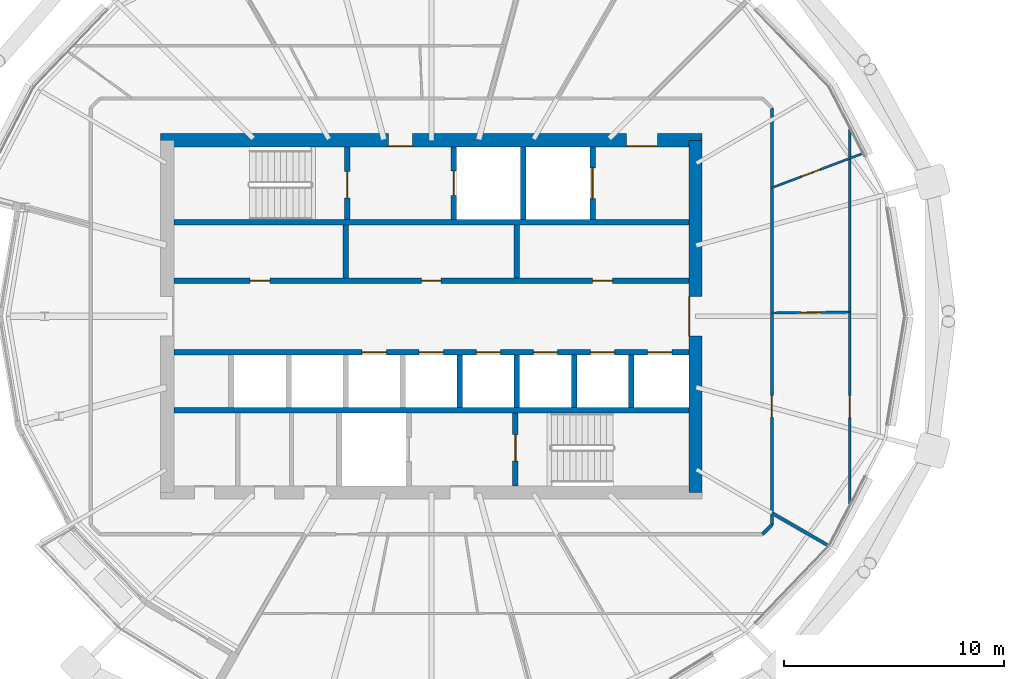
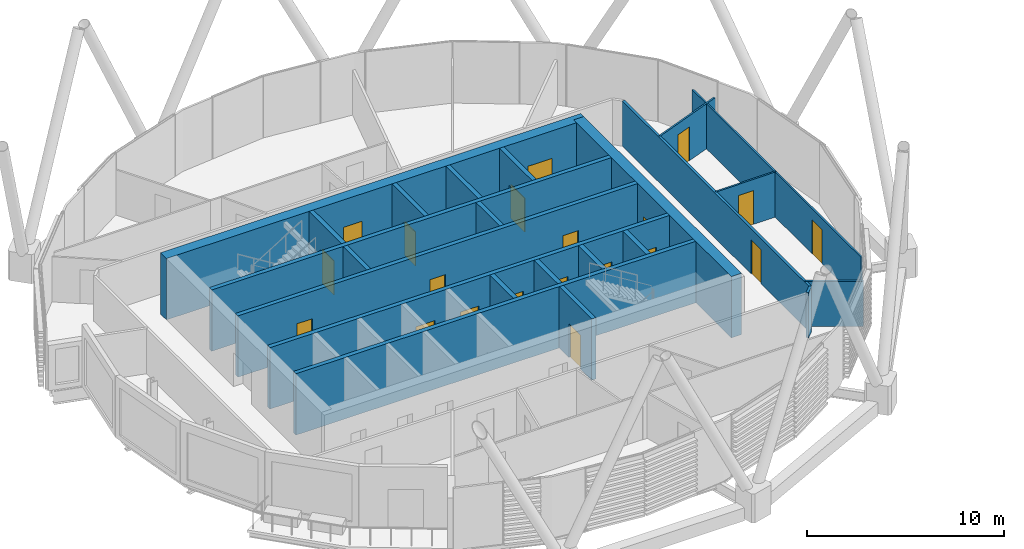
# One storey, part 23 of 36: 23 walls, 20 doors, 20 openings.
"""IFC4 building model written with IfcOpenShell, lengths in metres."""

from ifc_helpers import new_model, si_unit, direction, frame, frame_2d, origin, place, context, subcontext, project, spatial, rectangle, extrude, material, layer, layer_set, type_object, element, fill, save


model = new_model("IFC4")

# Units and contexts
model_context = context("Model", 3, precision=1e-05, world=origin(), true_north=direction((0.0, 1.0)))
body_context = subcontext(model_context, "Body", "Model", "MODEL_VIEW")
ifc_project = project(units=[si_unit("LENGTHUNIT", "METRE"), si_unit("AREAUNIT", "SQUARE_METRE"), si_unit("VOLUMEUNIT", "CUBIC_METRE"), si_unit("PLANEANGLEUNIT", "RADIAN"), si_unit("MASSUNIT", "GRAM", prefix="KILO")], contexts=[model_context])

# Site, building, storey
site_placement = place(None, origin())
site = spatial("IfcSite", under=ifc_project, at=site_placement, CompositionType="ELEMENT")
building_placement = place(site_placement, origin())
building = spatial("IfcBuilding", under=site, at=building_placement, Name="Rimbun Link Towers", CompositionType="ELEMENT")
storey_placement = place(building_placement, frame((0.0, 0.0, 193.10009765625)))
storey = spatial("IfcBuildingStorey", under=building, at=storey_placement, Name="L47", CompositionType="ELEMENT", Elevation=193.10009765625)

# Wall, openings, doors
ifc_material_1 = material(Name="Concrete C60/75", Category="concrete")
ifc_layer_1 = layer(ifc_material_1, 0.60009765625)
ifc_layer_set_1 = layer_set([ifc_layer_1], Name="Core shear wall 600")
wall_type_1 = type_object("IfcWallType", Name="Core shear wall 600", PredefinedType="SHEAR", material=ifc_layer_set_1)
wall_1_placement = place(storey_placement, frame((-44.050048828125, 8.0, 0.0), z_axis=(0.0, 0.0, 1.0), x_axis=(1.0, 0.0, 0.0)))
wall_1 = element("IfcWall", 1, at=wall_1_placement, inside=storey, type_object=wall_type_1, Name="L47 T1 core wall N", PredefinedType="SHEAR", context=body_context, shape_type="SweptSolid", body=[
    extrude(rectangle(XDim=24.60009765625, YDim=0.60009765625, at=frame_2d((12.300048828125, 0.0))), origin(), (0.0, 0.0, 1.0), 3.7998046875),
])
opening_1_placement = place(wall_1_placement, frame((10.35009765625, 0.0, 0.0)))
opening_1 = element("IfcOpeningElement", 2, at=opening_1_placement, cuts=wall_1, Name="Opening C1DCF01N", PredefinedType="OPENING", context=body_context, shape_type="SweptSolid", body=[
    extrude(rectangle(XDim=1.10009765625, YDim=2.10009765625, at=frame_2d((0.550048828125, 1.050048828125))), frame((0.0, 0.31005859375, 0.0), z_axis=(0.0, -1.0, 0.0), x_axis=(1.0, 0.0, 0.0)), (0.0, 0.0, 1.0), 0.6201171875),
])
opening_2_placement = place(wall_1_placement, frame((21.175048828125, 0.0, 0.0)))
opening_2 = element("IfcOpeningElement", 3, at=opening_2_placement, cuts=wall_1, Name="Opening C1DSL02N", PredefinedType="OPENING", context=body_context, shape_type="SweptSolid", body=[
    extrude(rectangle(XDim=1.39990234375, YDim=2.10009765625, at=frame_2d((0.699951171875, 1.050048828125))), frame((0.0, 0.31005859375, 0.0), z_axis=(0.0, -1.0, 0.0), x_axis=(1.0, 0.0, 0.0)), (0.0, 0.0, 1.0), 0.6201171875),
])
ifc_material_2 = material(Name="Steel fire door set", Category="steel")
door_type_1 = type_object("IfcDoorType", Name="Core fire door single", OperationType="SINGLE_SWING_LEFT", PredefinedType="DOOR", material=ifc_material_2)
door_1_placement = place(opening_1_placement, origin())
door_1 = element("IfcDoor", 4, at=door_1_placement, inside=storey, type_object=door_type_1, Name="L47 T1 firefighting lobby n door", OperationType="SINGLE_SWING_LEFT", OverallHeight=2.10009765625, OverallWidth=1.10009765625, PredefinedType="DOOR", context=body_context, shape_type="SweptSolid", body=[
    extrude(rectangle(XDim=1.10009765625, YDim=2.10009765625, at=frame_2d((0.550048828125, 1.050048828125))), frame((0.0, -0.25, 0.0), z_axis=(0.0, -1.0, 0.0), x_axis=(1.0, 0.0, 0.0)), (0.0, 0.0, 1.0), 0.050048828125),
])
fill(opening_1, door_1)
ifc_material_3 = material(Name="Steel fire door set", Category="steel")
door_type_2 = type_object("IfcDoorType", Name="Service lobby door double", OperationType="DOUBLE_DOOR_SINGLE_SWING", PredefinedType="DOOR", material=ifc_material_3)
door_2_placement = place(opening_2_placement, origin())
door_2 = element("IfcDoor", 5, at=door_2_placement, inside=storey, type_object=door_type_2, Name="L47 T1 service lobby door", OperationType="DOUBLE_DOOR_SINGLE_SWING", OverallHeight=2.10009765625, OverallWidth=1.39990234375, PredefinedType="DOOR", context=body_context, shape_type="SweptSolid", body=[
    extrude(rectangle(XDim=1.39990234375, YDim=2.10009765625, at=frame_2d((0.699951171875, 1.050048828125))), frame((0.0, -0.25, 0.0), z_axis=(0.0, -1.0, 0.0), x_axis=(1.0, 0.0, 0.0)), (0.0, 0.0, 1.0), 0.050048828125),
])
fill(opening_2, door_2)

# Wall, opening, door
wall_2_placement = place(storey_placement, frame((-19.75, -8.0, 0.0), z_axis=(0.0, 0.0, 1.0), x_axis=(0.0, 1.0, 0.0)))
wall_2 = element("IfcWall", 6, at=wall_2_placement, inside=storey, type_object=wall_type_1, Name="L47 T1 core wall E", PredefinedType="SHEAR", context=body_context, shape_type="SweptSolid", body=[
    extrude(rectangle(XDim=16.0, YDim=0.60009765625, at=frame_2d((8.0, 0.0))), origin(), (0.0, 0.0, 1.0), 3.7998046875),
])
opening_3_placement = place(wall_2_placement, frame((7.10009765625, 0.0, 0.0)))
opening_3 = element("IfcOpeningElement", 7, at=opening_3_placement, cuts=wall_2, Name="Opening C1DCL01E", PredefinedType="OPENING", context=body_context, shape_type="SweptSolid", body=[
    extrude(rectangle(XDim=1.800048828125, YDim=2.10009765625, at=frame_2d((0.89990234375, 1.050048828125))), frame((0.0, 0.31005859375, 0.0), z_axis=(0.0, -1.0, 0.0), x_axis=(1.0, 0.0, 0.0)), (0.0, 0.0, 1.0), 0.6201171875),
])
ifc_material_4 = material(Name="Steel fire door set", Category="steel")
door_type_3 = type_object("IfcDoorType", Name="Core lobby door double", OperationType="DOUBLE_DOOR_SINGLE_SWING", PredefinedType="DOOR", material=ifc_material_4)
door_3_placement = place(opening_3_placement, origin())
door_3 = element("IfcDoor", 8, at=door_3_placement, inside=storey, type_object=door_type_3, Name="L47 T1 lift lobby door", OperationType="DOUBLE_DOOR_SINGLE_SWING", OverallHeight=2.10009765625, OverallWidth=1.800048828125, PredefinedType="DOOR", context=body_context, shape_type="SweptSolid", body=[
    extrude(rectangle(XDim=1.800048828125, YDim=2.10009765625, at=frame_2d((0.89990234375, 1.050048828125))), frame((0.0, 0.2998046875, 0.0), z_axis=(0.0, -1.0, 0.0), x_axis=(1.0, 0.0, 0.0)), (0.0, 0.0, 1.0), 0.050048828125),
])
fill(opening_3, door_3)

ifc_material_5 = material(Name="Plasterboard on steel stud, mineral wool", Category="steel")
ifc_layer_2 = layer(ifc_material_5, 0.14990234375)
ifc_layer_set_2 = layer_set([ifc_layer_2], Name="Corridor wall EI 30 150 mm")
wall_type_2 = type_object("IfcWallType", Name="Corridor wall EI 30 150 mm", PredefinedType="PARTITIONING", material=ifc_layer_set_2)
wall_3_placement = place(storey_placement, frame((-16.27490234375, 9.4736328125, 0.0), z_axis=(0.0, 0.0, 1.0), x_axis=(0.0, -1.0, 0.0)))
wall_3 = element("IfcWall", 9, at=wall_3_placement, inside=storey, type_object=wall_type_2, Name="Corridor wall EI 30 150 mm", PredefinedType="PARTITIONING", context=body_context, shape_type="SweptSolid", body=[
    extrude(rectangle(XDim=18.947265625, YDim=0.14990234375, at=frame_2d((9.4736328125, 0.0))), origin(), (0.0, 0.0, 1.0), 2.788818359375),
])
opening_4_placement = place(wall_3_placement, frame((13.06005859375, 0.0, 0.0)))
opening_4 = element("IfcOpeningElement", 10, at=opening_4_placement, cuts=wall_3, Name="Opening D01", PredefinedType="OPENING", context=body_context, shape_type="SweptSolid", body=[
    extrude(rectangle(XDim=1.0, YDim=2.10009765625, at=frame_2d((0.5, 1.050048828125))), frame((0.0, 0.0849609375, 0.0), z_axis=(0.0, -1.0, 0.0), x_axis=(1.0, 0.0, 0.0)), (0.0, 0.0, 1.0), 0.169921875),
])
ifc_material_6 = material(Name="Fire-resisting timber door leaf", Category="wood")
door_type_4 = type_object("IfcDoorType", Name="Fire door FD30S 1000", OperationType="NOTDEFINED", PredefinedType="DOOR", material=ifc_material_6)
door_4_placement = place(opening_4_placement, origin())
door_4 = element("IfcDoor", 11, at=door_4_placement, inside=storey, type_object=door_type_4, Name="Fire door FD30S 1000 to Tenant lobby", OperationType="SINGLE_SWING_RIGHT", OverallHeight=2.10009765625, OverallWidth=1.0, PredefinedType="DOOR", context=body_context, shape_type="SweptSolid", body=[
    extrude(rectangle(XDim=1.0, YDim=2.10009765625, at=frame_2d((0.5, 1.050048828125))), frame((0.0, 0.02490234375, 0.0), z_axis=(0.0, -1.0, 0.0), x_axis=(1.0, 0.0, 0.0)), (0.0, 0.0, 1.0), 0.050048828125),
])
fill(opening_4, door_4)

# Wall
wall_4_placement = place(storey_placement, frame((-16.6962890625, -9.89501953125, 0.0), z_axis=(0.0, 0.0, 1.0), x_axis=(0.707106781187, 0.707106781187, 0.0)))
element("IfcWall", 12, at=wall_4_placement, inside=storey, type_object=wall_type_2, Name="Corridor wall EI 30 150 mm", PredefinedType="PARTITIONING", context=body_context, shape_type="SweptSolid", body=[
    extrude(rectangle(XDim=0.595947265625, YDim=0.14990234375, at=frame_2d((0.2978515625, 0.0))), origin(), (0.0, 0.0, 1.0), 2.788818359375),
])

# Wall, opening, door
ifc_material_7 = material(Name="Plasterboard on steel stud", Category="steel")
ifc_layer_3 = layer(ifc_material_7, 0.10009765625)
ifc_layer_set_3 = layer_set([ifc_layer_3], Name="Plasterboard partition 100 mm")
wall_type_3 = type_object("IfcWallType", Name="Plasterboard partition 100 mm", PredefinedType="PARTITIONING", material=ifc_layer_set_3)
wall_5_placement = place(storey_placement, frame((-16.27490234375, 0.157470703125, 0.0), z_axis=(0.0, 0.0, 1.0), x_axis=(0.99994860805, 0.010138109206, 0.0)))
wall_5 = element("IfcWall", 13, at=wall_5_placement, inside=storey, type_object=wall_type_3, Name="Plasterboard partition 100 mm", PredefinedType="PARTITIONING", context=body_context, shape_type="SweptSolid", body=[
    extrude(rectangle(XDim=3.5400390625, YDim=0.10009765625, at=frame_2d((1.77001953125, 0.0))), origin(), (0.0, 0.0, 1.0), 2.788818359375),
])
opening_5_placement = place(wall_5_placement, frame((1.320068359375, 0.0, 0.0)))
opening_5 = element("IfcOpeningElement", 14, at=opening_5_placement, cuts=wall_5, Name="Opening D04", PredefinedType="OPENING", context=body_context, shape_type="SweptSolid", body=[
    extrude(rectangle(XDim=0.89990234375, YDim=2.10009765625, at=frame_2d((0.449951171875, 1.050048828125))), frame((0.0, 0.06005859375, 0.0), z_axis=(0.0, -1.0, 0.0), x_axis=(1.0, 0.0, 0.0)), (0.0, 0.0, 1.0), 0.1201171875),
])
ifc_material_8 = material(Name="Timber door leaf", Category="wood")
door_type_5 = type_object("IfcDoorType", Name="Flush door 900", OperationType="NOTDEFINED", PredefinedType="DOOR", material=ifc_material_8)
door_5_placement = place(opening_5_placement, origin())
door_5 = element("IfcDoor", 15, at=door_5_placement, inside=storey, type_object=door_type_5, Name="Flush door 900 to Data room", OperationType="SINGLE_SWING_RIGHT", OverallHeight=2.10009765625, OverallWidth=0.89990234375, PredefinedType="DOOR", context=body_context, shape_type="SweptSolid", body=[
    extrude(rectangle(XDim=0.89990234375, YDim=2.10009765625, at=frame_2d((0.449951171875, 1.050048828125))), frame((0.0, 0.02490234375, 0.0), z_axis=(0.0, -1.0, 0.0), x_axis=(1.0, 0.0, 0.0)), (0.0, 0.0, 1.0), 0.050048828125),
])
fill(opening_5, door_5)

wall_6_placement = place(storey_placement, frame((-12.735107421875, 8.547119140625, 0.0), z_axis=(0.0, 0.0, 1.0), x_axis=(0.0, -1.0, 0.0)))
wall_6 = element("IfcWall", 16, at=wall_6_placement, inside=storey, type_object=wall_type_3, Name="Plasterboard partition 100 mm", PredefinedType="PARTITIONING", context=body_context, shape_type="SweptSolid", body=[
    extrude(rectangle(XDim=17.09423828125, YDim=0.10009765625, at=frame_2d((8.547119140625, 0.0))), origin(), (0.0, 0.0, 1.0), 2.788818359375),
])
opening_6_placement = place(wall_6_placement, frame((12.152099609375, 0.0, 0.0)))
opening_6 = element("IfcOpeningElement", 17, at=opening_6_placement, cuts=wall_6, Name="Opening D03", PredefinedType="OPENING", context=body_context, shape_type="SweptSolid", body=[
    extrude(rectangle(XDim=1.0, YDim=2.10009765625, at=frame_2d((0.5, 1.050048828125))), frame((0.0, 0.06005859375, 0.0), z_axis=(0.0, -1.0, 0.0), x_axis=(1.0, 0.0, 0.0)), (0.0, 0.0, 1.0), 0.1201171875),
])
ifc_material_9 = material(Name="Timber door leaf", Category="wood")
door_type_6 = type_object("IfcDoorType", Name="Flush door 1000", OperationType="NOTDEFINED", PredefinedType="DOOR", material=ifc_material_9)
door_6_placement = place(opening_6_placement, origin())
door_6 = element("IfcDoor", 18, at=door_6_placement, inside=storey, type_object=door_type_6, Name="Flush door 1000 to Trading floor", OperationType="SINGLE_SWING_LEFT", OverallHeight=2.10009765625, OverallWidth=1.0, PredefinedType="DOOR", context=body_context, shape_type="SweptSolid", body=[
    extrude(rectangle(XDim=1.0, YDim=2.10009765625, at=frame_2d((0.5, 1.050048828125))), frame((0.0, 0.02490234375, 0.0), z_axis=(0.0, -1.0, 0.0), x_axis=(1.0, 0.0, 0.0)), (0.0, 0.0, 1.0), 0.050048828125),
])
fill(opening_6, door_6)

wall_7_placement = place(storey_placement, frame((-16.27490234375, 5.843017578125, 0.0), z_axis=(0.0, 0.0, 1.0), x_axis=(0.935530858605, 0.353244975334, 0.0)))
wall_7 = element("IfcWall", 19, at=wall_7_placement, inside=storey, type_object=wall_type_3, Name="Plasterboard partition 100 mm", PredefinedType="PARTITIONING", context=body_context, shape_type="SweptSolid", body=[
    extrude(rectangle(XDim=4.424560546875, YDim=0.10009765625, at=frame_2d((2.21240234375, 0.0))), origin(), (0.0, 0.0, 1.0), 2.788818359375),
])
opening_7_placement = place(wall_7_placement, frame((1.44189453125, 0.0, 0.0)))
opening_7 = element("IfcOpeningElement", 20, at=opening_7_placement, cuts=wall_7, Name="Opening D04", PredefinedType="OPENING", context=body_context, shape_type="SweptSolid", body=[
    extrude(rectangle(XDim=0.89990234375, YDim=2.10009765625, at=frame_2d((0.449951171875, 1.050048828125))), frame((0.0, 0.06005859375, 0.0), z_axis=(0.0, -1.0, 0.0), x_axis=(1.0, 0.0, 0.0)), (0.0, 0.0, 1.0), 0.1201171875),
])
door_7_placement = place(opening_7_placement, origin())
door_7 = element("IfcDoor", 21, at=door_7_placement, inside=storey, type_object=door_type_5, Name="Flush door 900 to Communications room", OperationType="SINGLE_SWING_LEFT", OverallHeight=2.10009765625, OverallWidth=0.89990234375, PredefinedType="DOOR", context=body_context, shape_type="SweptSolid", body=[
    extrude(rectangle(XDim=0.89990234375, YDim=2.10009765625, at=frame_2d((0.449951171875, 1.050048828125))), frame((0.0, 0.02490234375, 0.0), z_axis=(0.0, -1.0, 0.0), x_axis=(1.0, 0.0, 0.0)), (0.0, 0.0, 1.0), 0.050048828125),
])
fill(opening_7, door_7)

# Walls
ifc_material_10 = material(Name="Concrete C60/75", Category="concrete")
ifc_layer_4 = layer(ifc_material_10, 0.25)
ifc_layer_set_4 = layer_set([ifc_layer_4], Name="Shaft wall 250")
wall_type_4 = type_object("IfcWallType", Name="Shaft wall 250", PredefinedType="SHEAR", material=ifc_layer_set_4)
for number, where, z_axis, x_axis, name in (
    (22, (-43.449951171875, 4.27490234375, 0.0), (0.0, 0.0, 1.0), (1.0, 0.0, 0.0), "L47 T1 core wall BN"),
    (23, (-43.449951171875, -4.27490234375, 0.0), (0.0, 0.0, 1.0), (1.0, 0.0, 0.0), "L47 T1 core wall BS"),
):
    element("IfcWall", number, at=place(storey_placement, frame(where, z_axis=z_axis, x_axis=x_axis)), inside=storey, type_object=wall_type_4, Name=name, PredefinedType="SHEAR", context=body_context, shape_type="SweptSolid", body=[
        extrude(rectangle(XDim=23.39990234375, YDim=0.25, at=frame_2d((11.699951171875, 0.0))), origin(), (0.0, 0.0, 1.0), 3.7998046875),
    ])

# Wall, openings, doors
wall_8_placement = place(storey_placement, frame((-43.449951171875, 1.625, 0.0), z_axis=(0.0, 0.0, 1.0), x_axis=(1.0, 0.0, 0.0)))
wall_8 = element("IfcWall", 24, at=wall_8_placement, inside=storey, type_object=wall_type_4, Name="L47 T1 core wall FN", PredefinedType="SHEAR", context=body_context, shape_type="SweptSolid", body=[
    extrude(rectangle(XDim=23.39990234375, YDim=0.25, at=frame_2d((11.699951171875, 0.0))), origin(), (0.0, 0.0, 1.0), 3.7998046875),
])
opening_8_placement = place(wall_8_placement, frame((3.466796875, 0.0, 0.0)))
opening_8 = element("IfcOpeningElement", 25, at=opening_8_placement, cuts=wall_8, Name="Opening C1DRS01FN", PredefinedType="OPENING", context=body_context, shape_type="SweptSolid", body=[
    extrude(rectangle(XDim=0.89990234375, YDim=2.10009765625, at=frame_2d((0.449951171875, 1.050048828125))), frame((0.0, 0.135009765625, 0.0), z_axis=(0.0, -1.0, 0.0), x_axis=(1.0, 0.0, 0.0)), (0.0, 0.0, 1.0), 0.27001953125),
])
opening_9_placement = place(wall_8_placement, frame((11.25, 0.0, 0.0)))
opening_9 = element("IfcOpeningElement", 26, at=opening_9_placement, cuts=wall_8, Name="Opening C1DRS02FN", PredefinedType="OPENING", context=body_context, shape_type="SweptSolid", body=[
    extrude(rectangle(XDim=0.89990234375, YDim=2.10009765625, at=frame_2d((0.449951171875, 1.050048828125))), frame((0.0, 0.135009765625, 0.0), z_axis=(0.0, -1.0, 0.0), x_axis=(1.0, 0.0, 0.0)), (0.0, 0.0, 1.0), 0.27001953125),
])
opening_10_placement = place(wall_8_placement, frame((19.033203125, 0.0, 0.0)))
opening_10 = element("IfcOpeningElement", 27, at=opening_10_placement, cuts=wall_8, Name="Opening C1DRS03FN", PredefinedType="OPENING", context=body_context, shape_type="SweptSolid", body=[
    extrude(rectangle(XDim=0.89990234375, YDim=2.10009765625, at=frame_2d((0.449951171875, 1.050048828125))), frame((0.0, 0.135009765625, 0.0), z_axis=(0.0, -1.0, 0.0), x_axis=(1.0, 0.0, 0.0)), (0.0, 0.0, 1.0), 0.27001953125),
])
ifc_material_11 = material(Name="Steel fire door set", Category="steel")
door_type_7 = type_object("IfcDoorType", Name="Core riser door", OperationType="SINGLE_SWING_LEFT", PredefinedType="DOOR", material=ifc_material_11)
door_8_placement = place(opening_8_placement, origin())
door_8 = element("IfcDoor", 28, at=door_8_placement, inside=storey, type_object=door_type_7, Name="L47 T1 records store door", OperationType="SINGLE_SWING_LEFT", OverallHeight=2.10009765625, OverallWidth=0.89990234375, PredefinedType="DOOR", context=body_context, shape_type="SweptSolid", body=[
    extrude(rectangle(XDim=0.89990234375, YDim=2.10009765625, at=frame_2d((0.449951171875, 1.050048828125))), frame((0.0, 0.02490234375, 0.0), z_axis=(0.0, -1.0, 0.0), x_axis=(1.0, 0.0, 0.0)), (0.0, 0.0, 1.0), 0.050048828125),
])
fill(opening_8, door_8)
door_9_placement = place(opening_9_placement, origin())
door_9 = element("IfcDoor", 29, at=door_9_placement, inside=storey, type_object=door_type_7, Name="L47 T1 training store door", OperationType="SINGLE_SWING_LEFT", OverallHeight=2.10009765625, OverallWidth=0.89990234375, PredefinedType="DOOR", context=body_context, shape_type="SweptSolid", body=[
    extrude(rectangle(XDim=0.89990234375, YDim=2.10009765625, at=frame_2d((0.449951171875, 1.050048828125))), frame((0.0, 0.02490234375, 0.0), z_axis=(0.0, -1.0, 0.0), x_axis=(1.0, 0.0, 0.0)), (0.0, 0.0, 1.0), 0.050048828125),
])
fill(opening_9, door_9)
door_10_placement = place(opening_10_placement, origin())
door_10 = element("IfcDoor", 30, at=door_10_placement, inside=storey, type_object=door_type_7, Name="L47 T1 meeting pod door", OperationType="SINGLE_SWING_LEFT", OverallHeight=2.10009765625, OverallWidth=0.89990234375, PredefinedType="DOOR", context=body_context, shape_type="SweptSolid", body=[
    extrude(rectangle(XDim=0.89990234375, YDim=2.10009765625, at=frame_2d((0.449951171875, 1.050048828125))), frame((0.0, 0.02490234375, 0.0), z_axis=(0.0, -1.0, 0.0), x_axis=(1.0, 0.0, 0.0)), (0.0, 0.0, 1.0), 0.050048828125),
])
fill(opening_10, door_10)

wall_9_placement = place(storey_placement, frame((-43.449951171875, -1.625, 0.0), z_axis=(0.0, 0.0, 1.0), x_axis=(1.0, 0.0, 0.0)))
wall_9 = element("IfcWall", 31, at=wall_9_placement, inside=storey, type_object=wall_type_4, Name="L47 T1 core wall FS", PredefinedType="SHEAR", context=body_context, shape_type="SweptSolid", body=[
    extrude(rectangle(XDim=23.39990234375, YDim=0.25, at=frame_2d((11.699951171875, 0.0))), origin(), (0.0, 0.0, 1.0), 3.7998046875),
])
opening_11_placement = place(wall_9_placement, frame((8.5556640625, 0.0, 0.0)))
opening_11 = element("IfcOpeningElement", 32, at=opening_11_placement, cuts=wall_9, Name="Opening LD-T1-HR1", PredefinedType="OPENING", context=body_context, shape_type="SweptSolid", body=[
    extrude(rectangle(XDim=1.10009765625, YDim=2.10009765625, at=frame_2d((0.550048828125, 1.050048828125))), frame((0.0, 0.135009765625, 0.0), z_axis=(0.0, -1.0, 0.0), x_axis=(1.0, 0.0, 0.0)), (0.0, 0.0, 1.0), 0.27001953125),
])
opening_12_placement = place(wall_9_placement, frame((11.14990234375, 0.0, 0.0)))
opening_12 = element("IfcOpeningElement", 33, at=opening_12_placement, cuts=wall_9, Name="Opening LD-T1-HR2", PredefinedType="OPENING", context=body_context, shape_type="SweptSolid", body=[
    extrude(rectangle(XDim=1.10009765625, YDim=2.10009765625, at=frame_2d((0.550048828125, 1.050048828125))), frame((0.0, 0.135009765625, 0.0), z_axis=(0.0, -1.0, 0.0), x_axis=(1.0, 0.0, 0.0)), (0.0, 0.0, 1.0), 0.27001953125),
])
opening_13_placement = place(wall_9_placement, frame((13.744384765625, 0.0, 0.0)))
opening_13 = element("IfcOpeningElement", 34, at=opening_13_placement, cuts=wall_9, Name="Opening LD-T1-HR3", PredefinedType="OPENING", context=body_context, shape_type="SweptSolid", body=[
    extrude(rectangle(XDim=1.10009765625, YDim=2.10009765625, at=frame_2d((0.550048828125, 1.050048828125))), frame((0.0, 0.135009765625, 0.0), z_axis=(0.0, -1.0, 0.0), x_axis=(1.0, 0.0, 0.0)), (0.0, 0.0, 1.0), 0.27001953125),
])
opening_14_placement = place(wall_9_placement, frame((16.3388671875, 0.0, 0.0)))
opening_14 = element("IfcOpeningElement", 35, at=opening_14_placement, cuts=wall_9, Name="Opening LD-T1-HR4", PredefinedType="OPENING", context=body_context, shape_type="SweptSolid", body=[
    extrude(rectangle(XDim=1.10009765625, YDim=2.10009765625, at=frame_2d((0.550048828125, 1.050048828125))), frame((0.0, 0.135009765625, 0.0), z_axis=(0.0, -1.0, 0.0), x_axis=(1.0, 0.0, 0.0)), (0.0, 0.0, 1.0), 0.27001953125),
])
opening_15_placement = place(wall_9_placement, frame((18.933349609375, 0.0, 0.0)))
opening_15 = element("IfcOpeningElement", 36, at=opening_15_placement, cuts=wall_9, Name="Opening LD-T1-HR5", PredefinedType="OPENING", context=body_context, shape_type="SweptSolid", body=[
    extrude(rectangle(XDim=1.10009765625, YDim=2.10009765625, at=frame_2d((0.550048828125, 1.050048828125))), frame((0.0, 0.135009765625, 0.0), z_axis=(0.0, -1.0, 0.0), x_axis=(1.0, 0.0, 0.0)), (0.0, 0.0, 1.0), 0.27001953125),
])
opening_16_placement = place(wall_9_placement, frame((21.52783203125, 0.0, 0.0)))
opening_16 = element("IfcOpeningElement", 37, at=opening_16_placement, cuts=wall_9, Name="Opening LD-T1-HR6", PredefinedType="OPENING", context=body_context, shape_type="SweptSolid", body=[
    extrude(rectangle(XDim=1.10009765625, YDim=2.10009765625, at=frame_2d((0.550048828125, 1.050048828125))), frame((0.0, 0.135009765625, 0.0), z_axis=(0.0, -1.0, 0.0), x_axis=(1.0, 0.0, 0.0)), (0.0, 0.0, 1.0), 0.27001953125),
])
ifc_material_12 = material(Name="Stainless steel grade 316", Category="steel")
door_type_8 = type_object("IfcDoorType", Name="Lift landing door", OperationType="DOUBLE_DOOR_SLIDING", PredefinedType="DOOR", material=ifc_material_12)
door_11_placement = place(opening_11_placement, origin())
door_11 = element("IfcDoor", 38, at=door_11_placement, inside=storey, type_object=door_type_8, Name="L47 T1 lift HR1 landing door", OperationType="DOUBLE_DOOR_SLIDING", OverallHeight=2.10009765625, OverallWidth=1.10009765625, PredefinedType="DOOR", context=body_context, shape_type="SweptSolid", body=[
    extrude(rectangle(XDim=1.10009765625, YDim=2.10009765625, at=frame_2d((0.550048828125, 1.050048828125))), frame((0.0, 0.02490234375, 0.0), z_axis=(0.0, -1.0, 0.0), x_axis=(1.0, 0.0, 0.0)), (0.0, 0.0, 1.0), 0.050048828125),
])
fill(opening_11, door_11)
door_12_placement = place(opening_12_placement, origin())
door_12 = element("IfcDoor", 39, at=door_12_placement, inside=storey, type_object=door_type_8, Name="L47 T1 lift HR2 landing door", OperationType="DOUBLE_DOOR_SLIDING", OverallHeight=2.10009765625, OverallWidth=1.10009765625, PredefinedType="DOOR", context=body_context, shape_type="SweptSolid", body=[
    extrude(rectangle(XDim=1.10009765625, YDim=2.10009765625, at=frame_2d((0.550048828125, 1.050048828125))), frame((0.0, 0.02490234375, 0.0), z_axis=(0.0, -1.0, 0.0), x_axis=(1.0, 0.0, 0.0)), (0.0, 0.0, 1.0), 0.050048828125),
])
fill(opening_12, door_12)
door_13_placement = place(opening_13_placement, origin())
door_13 = element("IfcDoor", 40, at=door_13_placement, inside=storey, type_object=door_type_8, Name="L47 T1 lift HR3 landing door", OperationType="DOUBLE_DOOR_SLIDING", OverallHeight=2.10009765625, OverallWidth=1.10009765625, PredefinedType="DOOR", context=body_context, shape_type="SweptSolid", body=[
    extrude(rectangle(XDim=1.10009765625, YDim=2.10009765625, at=frame_2d((0.550048828125, 1.050048828125))), frame((0.0, 0.02490234375, 0.0), z_axis=(0.0, -1.0, 0.0), x_axis=(1.0, 0.0, 0.0)), (0.0, 0.0, 1.0), 0.050048828125),
])
fill(opening_13, door_13)
door_14_placement = place(opening_14_placement, origin())
door_14 = element("IfcDoor", 41, at=door_14_placement, inside=storey, type_object=door_type_8, Name="L47 T1 lift HR4 landing door", OperationType="DOUBLE_DOOR_SLIDING", OverallHeight=2.10009765625, OverallWidth=1.10009765625, PredefinedType="DOOR", context=body_context, shape_type="SweptSolid", body=[
    extrude(rectangle(XDim=1.10009765625, YDim=2.10009765625, at=frame_2d((0.550048828125, 1.050048828125))), frame((0.0, 0.02490234375, 0.0), z_axis=(0.0, -1.0, 0.0), x_axis=(1.0, 0.0, 0.0)), (0.0, 0.0, 1.0), 0.050048828125),
])
fill(opening_14, door_14)
door_15_placement = place(opening_15_placement, origin())
door_15 = element("IfcDoor", 42, at=door_15_placement, inside=storey, type_object=door_type_8, Name="L47 T1 lift HR5 landing door", OperationType="DOUBLE_DOOR_SLIDING", OverallHeight=2.10009765625, OverallWidth=1.10009765625, PredefinedType="DOOR", context=body_context, shape_type="SweptSolid", body=[
    extrude(rectangle(XDim=1.10009765625, YDim=2.10009765625, at=frame_2d((0.550048828125, 1.050048828125))), frame((0.0, 0.02490234375, 0.0), z_axis=(0.0, -1.0, 0.0), x_axis=(1.0, 0.0, 0.0)), (0.0, 0.0, 1.0), 0.050048828125),
])
fill(opening_15, door_15)
door_16_placement = place(opening_16_placement, origin())
door_16 = element("IfcDoor", 43, at=door_16_placement, inside=storey, type_object=door_type_8, Name="L47 T1 lift HR6 landing door", OperationType="DOUBLE_DOOR_SLIDING", OverallHeight=2.10009765625, OverallWidth=1.10009765625, PredefinedType="DOOR", context=body_context, shape_type="SweptSolid", body=[
    extrude(rectangle(XDim=1.10009765625, YDim=2.10009765625, at=frame_2d((0.550048828125, 1.050048828125))), frame((0.0, 0.02490234375, 0.0), z_axis=(0.0, -1.0, 0.0), x_axis=(1.0, 0.0, 0.0)), (0.0, 0.0, 1.0), 0.050048828125),
])
fill(opening_16, door_16)

# Walls
for number, where, z_axis, x_axis, name in (
    (44, (-35.6416015625, 1.75, 0.0), (0.0, 0.0, 1.0), (0.0, 1.0, 0.0), "L47 T1 core wall DN2"),
    (45, (-27.8583984375, 1.75, 0.0), (0.0, 0.0, 1.0), (0.0, 1.0, 0.0), "L47 T1 core wall DN5"),
    (46, (-30.452880859375, -4.14990234375, 0.0), (0.0, 0.0, 1.0), (0.0, 1.0, 0.0), "L47 T1 core wall DS4"),
    (47, (-27.8583984375, -4.14990234375, 0.0), (0.0, 0.0, 1.0), (0.0, 1.0, 0.0), "L47 T1 core wall DS5"),
    (48, (-25.263916015625, -4.14990234375, 0.0), (0.0, 0.0, 1.0), (0.0, 1.0, 0.0), "L47 T1 core wall DS6"),
    (49, (-22.66943359375, -4.14990234375, 0.0), (0.0, 0.0, 1.0), (0.0, 1.0, 0.0), "L47 T1 core wall DS7"),
):
    element("IfcWall", number, at=place(storey_placement, frame(where, z_axis=z_axis, x_axis=x_axis)), inside=storey, type_object=wall_type_4, Name=name, PredefinedType="SHEAR", context=body_context, shape_type="SweptSolid", body=[
        extrude(rectangle(XDim=2.39990234375, YDim=0.25, at=frame_2d((1.199951171875, 0.0))), origin(), (0.0, 0.0, 1.0), 3.7998046875),
    ])

# Wall, opening, door
wall_10_placement = place(storey_placement, frame((-35.574951171875, 4.39990234375, 0.0), z_axis=(0.0, 0.0, 1.0), x_axis=(0.0, 1.0, 0.0)))
wall_10 = element("IfcWall", 50, at=wall_10_placement, inside=storey, type_object=wall_type_4, Name="L47 T1 core wall A1", PredefinedType="SHEAR", context=body_context, shape_type="SweptSolid", body=[
    extrude(rectangle(XDim=3.300048828125, YDim=0.25, at=frame_2d((1.64990234375, 0.0))), origin(), (0.0, 0.0, 1.0), 3.7998046875),
])
opening_17_placement = place(wall_10_placement, frame((0.97509765625, 0.0, 0.0)))
opening_17 = element("IfcOpeningElement", 51, at=opening_17_placement, cuts=wall_10, Name="Opening C1DST01A1", PredefinedType="OPENING", context=body_context, shape_type="SweptSolid", body=[
    extrude(rectangle(XDim=1.199951171875, YDim=2.10009765625, at=frame_2d((0.60009765625, 1.050048828125))), frame((0.0, 0.135009765625, 0.0), z_axis=(0.0, -1.0, 0.0), x_axis=(1.0, 0.0, 0.0)), (0.0, 0.0, 1.0), 0.27001953125),
])
ifc_material_13 = material(Name="Steel fire door set", Category="steel")
door_type_9 = type_object("IfcDoorType", Name="Stair door", OperationType="SINGLE_SWING_LEFT", PredefinedType="DOOR", material=ifc_material_13)
door_17_placement = place(opening_17_placement, origin())
door_17 = element("IfcDoor", 52, at=door_17_placement, inside=storey, type_object=door_type_9, Name="L47 T1 stair a door", OperationType="SINGLE_SWING_RIGHT", OverallHeight=2.10009765625, OverallWidth=1.199951171875, PredefinedType="DOOR", context=body_context, shape_type="SweptSolid", body=[
    extrude(rectangle(XDim=1.199951171875, YDim=2.10009765625, at=frame_2d((0.60009765625, 1.050048828125))), frame((0.0, 0.02490234375, 0.0), z_axis=(0.0, -1.0, 0.0), x_axis=(1.0, 0.0, 0.0)), (0.0, 0.0, 1.0), 0.050048828125),
])
fill(opening_17, door_17)

wall_11_placement = place(storey_placement, frame((-30.72509765625, 4.39990234375, 0.0), z_axis=(0.0, 0.0, 1.0), x_axis=(0.0, 1.0, 0.0)))
wall_11 = element("IfcWall", 53, at=wall_11_placement, inside=storey, type_object=wall_type_4, Name="L47 T1 core wall A2", PredefinedType="SHEAR", context=body_context, shape_type="SweptSolid", body=[
    extrude(rectangle(XDim=3.300048828125, YDim=0.25, at=frame_2d((1.64990234375, 0.0))), origin(), (0.0, 0.0, 1.0), 3.7998046875),
])
opening_18_placement = place(wall_11_placement, frame((1.10009765625, 0.0, 0.0)))
opening_18 = element("IfcOpeningElement", 54, at=opening_18_placement, cuts=wall_11, Name="Opening LD-T1-FF1", PredefinedType="OPENING", context=body_context, shape_type="SweptSolid", body=[
    extrude(rectangle(XDim=1.10009765625, YDim=2.10009765625, at=frame_2d((0.550048828125, 1.050048828125))), frame((0.0, 0.135009765625, 0.0), z_axis=(0.0, -1.0, 0.0), x_axis=(1.0, 0.0, 0.0)), (0.0, 0.0, 1.0), 0.27001953125),
])
door_18_placement = place(opening_18_placement, origin())
door_18 = element("IfcDoor", 55, at=door_18_placement, inside=storey, type_object=door_type_8, Name="L47 T1 lift FF1 landing door", OperationType="DOUBLE_DOOR_SLIDING", OverallHeight=2.10009765625, OverallWidth=1.10009765625, PredefinedType="DOOR", context=body_context, shape_type="SweptSolid", body=[
    extrude(rectangle(XDim=1.10009765625, YDim=2.10009765625, at=frame_2d((0.550048828125, 1.050048828125))), frame((0.0, 0.02490234375, 0.0), z_axis=(0.0, -1.0, 0.0), x_axis=(1.0, 0.0, 0.0)), (0.0, 0.0, 1.0), 0.050048828125),
])
fill(opening_18, door_18)

# Wall
wall_12_placement = place(storey_placement, frame((-27.574951171875, 4.39990234375, 0.0), z_axis=(0.0, 0.0, 1.0), x_axis=(0.0, 1.0, 0.0)))
element("IfcWall", 56, at=wall_12_placement, inside=storey, type_object=wall_type_4, Name="L47 T1 core wall A3", PredefinedType="SHEAR", context=body_context, shape_type="SweptSolid", body=[
    extrude(rectangle(XDim=3.300048828125, YDim=0.25, at=frame_2d((1.64990234375, 0.0))), origin(), (0.0, 0.0, 1.0), 3.7998046875),
])

# Wall, opening, door
wall_13_placement = place(storey_placement, frame((-24.425048828125, 4.39990234375, 0.0), z_axis=(0.0, 0.0, 1.0), x_axis=(0.0, 1.0, 0.0)))
wall_13 = element("IfcWall", 57, at=wall_13_placement, inside=storey, type_object=wall_type_4, Name="L47 T1 core wall A4", PredefinedType="SHEAR", context=body_context, shape_type="SweptSolid", body=[
    extrude(rectangle(XDim=3.300048828125, YDim=0.25, at=frame_2d((1.64990234375, 0.0))), origin(), (0.0, 0.0, 1.0), 3.7998046875),
])
opening_19_placement = place(wall_13_placement, frame((0.949951171875, 0.0, 0.0)))
opening_19 = element("IfcOpeningElement", 58, at=opening_19_placement, cuts=wall_13, Name="Opening LD-T1-GL1", PredefinedType="OPENING", context=body_context, shape_type="SweptSolid", body=[
    extrude(rectangle(XDim=1.39990234375, YDim=2.10009765625, at=frame_2d((0.699951171875, 1.050048828125))), frame((0.0, 0.135009765625, 0.0), z_axis=(0.0, -1.0, 0.0), x_axis=(1.0, 0.0, 0.0)), (0.0, 0.0, 1.0), 0.27001953125),
])
ifc_material_14 = material(Name="Stainless steel grade 316", Category="steel")
door_type_10 = type_object("IfcDoorType", Name="Goods lift landing door", OperationType="DOUBLE_DOOR_SLIDING", PredefinedType="DOOR", material=ifc_material_14)
door_19_placement = place(opening_19_placement, origin())
door_19 = element("IfcDoor", 59, at=door_19_placement, inside=storey, type_object=door_type_10, Name="L47 T1 lift GL1 landing door", OperationType="DOUBLE_DOOR_SLIDING", OverallHeight=2.10009765625, OverallWidth=1.39990234375, PredefinedType="DOOR", context=body_context, shape_type="SweptSolid", body=[
    extrude(rectangle(XDim=1.39990234375, YDim=2.10009765625, at=frame_2d((0.699951171875, 1.050048828125))), frame((0.0, 0.02490234375, 0.0), z_axis=(0.0, -1.0, 0.0), x_axis=(1.0, 0.0, 0.0)), (0.0, 0.0, 1.0), 0.050048828125),
])
fill(opening_19, door_19)

wall_14_placement = place(storey_placement, frame((-27.925048828125, -4.39990234375, 0.0), z_axis=(0.0, 0.0, 1.0), x_axis=(0.0, -1.0, 0.0)))
wall_14 = element("IfcWall", 60, at=wall_14_placement, inside=storey, type_object=wall_type_4, Name="L47 T1 core wall B1", PredefinedType="SHEAR", context=body_context, shape_type="SweptSolid", body=[
    extrude(rectangle(XDim=3.300048828125, YDim=0.25, at=frame_2d((1.64990234375, 0.0))), origin(), (0.0, 0.0, 1.0), 3.7998046875),
])
opening_20_placement = place(wall_14_placement, frame((0.97509765625, 0.0, 0.0)))
opening_20 = element("IfcOpeningElement", 61, at=opening_20_placement, cuts=wall_14, Name="Opening C1DST01B1", PredefinedType="OPENING", context=body_context, shape_type="SweptSolid", body=[
    extrude(rectangle(XDim=1.199951171875, YDim=2.10009765625, at=frame_2d((0.60009765625, 1.050048828125))), frame((0.0, 0.135009765625, 0.0), z_axis=(0.0, -1.0, 0.0), x_axis=(1.0, 0.0, 0.0)), (0.0, 0.0, 1.0), 0.27001953125),
])
door_20_placement = place(opening_20_placement, origin())
door_20 = element("IfcDoor", 62, at=door_20_placement, inside=storey, type_object=door_type_9, Name="L47 T1 stair b door", OperationType="SINGLE_SWING_RIGHT", OverallHeight=2.10009765625, OverallWidth=1.199951171875, PredefinedType="DOOR", context=body_context, shape_type="SweptSolid", body=[
    extrude(rectangle(XDim=1.199951171875, YDim=2.10009765625, at=frame_2d((0.60009765625, 1.050048828125))), frame((0.0, 0.02490234375, 0.0), z_axis=(0.0, -1.0, 0.0), x_axis=(1.0, 0.0, 0.0)), (0.0, 0.0, 1.0), 0.050048828125),
])
fill(opening_20, door_20)

# Wall
ifc_material_15 = material(Name="Plasterboard on steel stud, mineral wool", Category="steel")
ifc_layer_5 = layer(ifc_material_15, 0.14990234375)
ifc_layer_set_5 = layer_set([ifc_layer_5], Name="Tenancy separation wall EI 60 150 mm")
wall_type_5 = type_object("IfcWallType", Name="Tenancy separation wall EI 60 150 mm", PredefinedType="PARTITIONING", material=ifc_layer_set_5)
wall_15_placement = place(storey_placement, frame((-16.27490234375, -8.9345703125, 0.0), z_axis=(0.0, 0.0, 1.0), x_axis=(0.866033229902, -0.499986444521, 0.0)))
element("IfcWall", 63, at=wall_15_placement, inside=storey, type_object=wall_type_5, Name="Tenancy separation wall EI 60 150 mm", PredefinedType="PARTITIONING", context=body_context, shape_type="SweptSolid", body=[
    extrude(rectangle(XDim=2.9619140625, YDim=0.14990234375, at=frame_2d((1.48095703125, 0.0))), origin(), (0.0, 0.0, 1.0), 2.788818359375),
])

save(model, "model.ifc")
